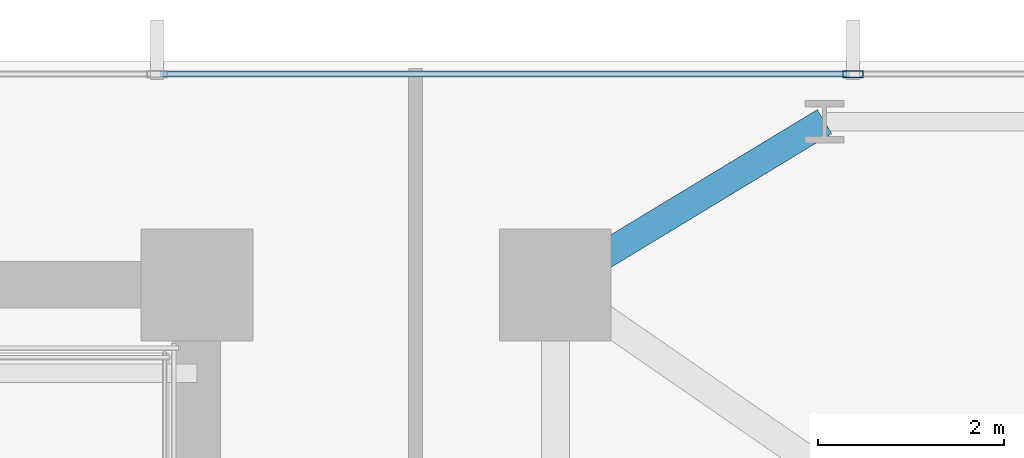
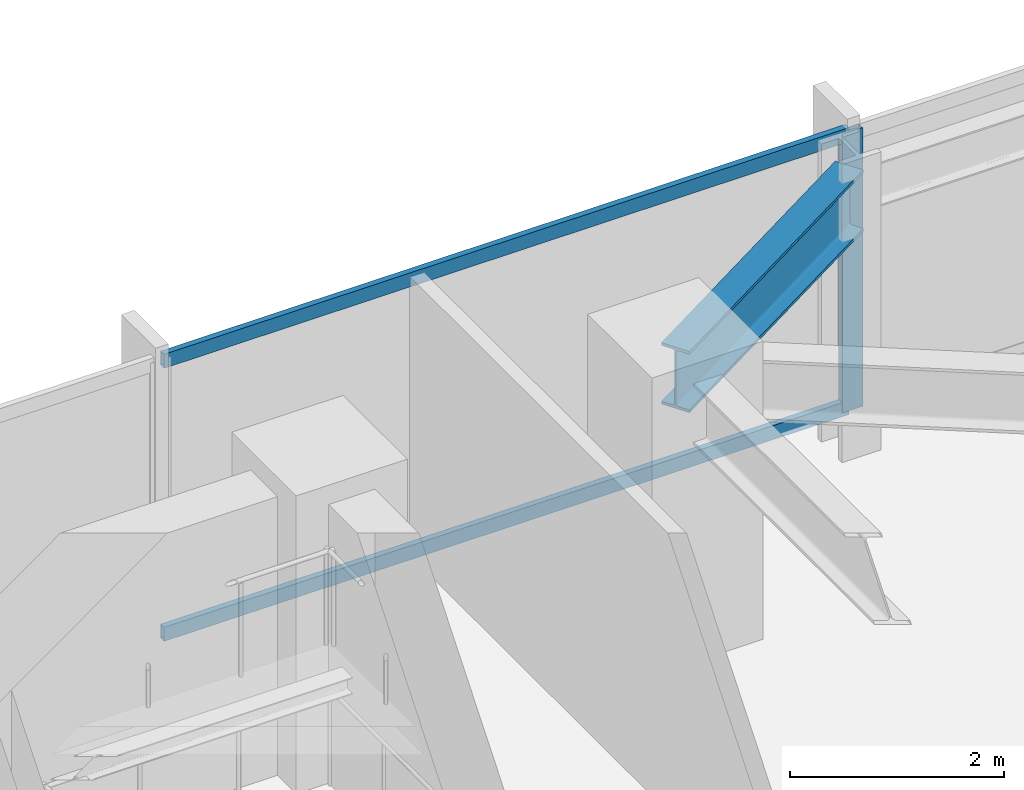
# One storey, part 20 of 32: 3 members, 1 beam, 1 element without a shape of its own.
"""IFC4 building model written with IfcOpenShell, lengths in metres."""

from ifc_helpers import new_model, si_unit, direction, frame, origin, origin_2d, place, context, subcontext, project, spatial, hollow_rectangle, i_section, extrude, material, material_profile, profile_set, type_object, element, aggregate, save


model = new_model("IFC4")

# Units and contexts
model_context = context("Model", 3, precision=1e-05, world=origin(), true_north=direction((0.0, 1.0)))
body_context = subcontext(model_context, "Body", "Model", "MODEL_VIEW")
ifc_project = project(units=[si_unit("LENGTHUNIT", "METRE"), si_unit("AREAUNIT", "SQUARE_METRE"), si_unit("VOLUMEUNIT", "CUBIC_METRE"), si_unit("PLANEANGLEUNIT", "RADIAN"), si_unit("MASSUNIT", "GRAM", prefix="KILO")], contexts=[model_context])

# Site, building, storey
site_placement = place(None, origin())
site = spatial("IfcSite", under=ifc_project, at=site_placement, CompositionType="ELEMENT")
building_placement = place(site_placement, origin())
building = spatial("IfcBuilding", under=site, at=building_placement, Name="Yelkora Congress Tower", CompositionType="ELEMENT")
storey_placement = place(building_placement, frame((0.0, 0.0, 61.0)))
storey = spatial("IfcBuildingStorey", under=building, at=storey_placement, Name="L15", CompositionType="ELEMENT", Elevation=61.0)

# Beam
ifc_material_1 = material(Name="Steel S355J2", Category="steel")
ifc_material_profile_1 = material_profile(ifc_material_1, i_section(OverallWidth=0.300048828125, OverallDepth=0.699951171875, WebThickness=0.01708984375, FlangeThickness=0.031982421875, FilletRadius=0.027099609375, at=origin_2d()), Name="HEB 700")
ifc_profile_set_1 = profile_set([ifc_material_profile_1], Name="Steel S355J2")
beam_type = type_object("IfcBeamType", Name="BM-GIRD-HEB700", PredefinedType="BEAM", material=ifc_profile_set_1)
beam_placement = place(storey_placement, frame((60.487548828125, 47.949951171875, 2.830078125), z_axis=(-0.855193946581, -0.518308126244, 0.0), x_axis=(0.518308126244, -0.855193946581, 0.0)))
element("IfcBeam", 1, at=beam_placement, inside=storey, type_object=beam_type, Name="L15 Primary Frame Girder N08", PredefinedType="BEAM", context=body_context, shape_type="SweptSolid", body=[
    extrude(i_section(OverallWidth=0.300048828125, OverallDepth=0.699951171875, WebThickness=0.01708984375, FlangeThickness=0.031982421875, FilletRadius=0.027099609375, at=origin_2d()), origin(), (0.0, 0.0, 1.0), 3.37646484375),
])

# Curtain wall, members
ifc_material_2 = material(Name="Anodised aluminium and insulated glass", Category="aluminium")
curtain_wall_type = type_object("IfcCurtainWallType", Name="CW-SYS-B1", PredefinedType="NOTDEFINED", material=ifc_material_2)
curtain_wall_placement = place(storey_placement, origin())
curtain_wall = element("IfcCurtainWall", 2, at=curtain_wall_placement, inside=storey, type_object=curtain_wall_type, Name="L15 Unitised Curtain Wall 10", PredefinedType="NOTDEFINED")
ifc_material_3 = material(Name="Anodised aluminium 6063-T6", Category="aluminium")
ifc_material_profile_2 = material_profile(ifc_material_3, hollow_rectangle(XDim=0.074951171875, YDim=0.219970703125, WallThickness=0.0048828125, at=origin_2d()), Name="ALU 75x220x5")
ifc_profile_set_2 = profile_set([ifc_material_profile_2], Name="Anodised aluminium 6063-T6")
member_type_1 = type_object("IfcMemberType", Name="MEM-ML-B1", PredefinedType="MULLION", material=ifc_profile_set_2)
member_1_placement = place(storey_placement, frame((60.794921875, 48.4599609375, 0.0), z_axis=(0.0, 0.0, 1.0), x_axis=(0.0, 1.0, 0.0)))
member_1 = element("IfcMember", 3, at=member_1_placement, type_object=member_type_1, Name="CW-B1 mullion 8", PredefinedType="MULLION", context=body_context, shape_type="SweptSolid", body=[
    extrude(hollow_rectangle(XDim=0.074951171875, YDim=0.219970703125, WallThickness=0.0048828125, at=origin_2d()), origin(), (0.0, 0.0, 1.0), 3.179931640625),
])
ifc_material_profile_3 = material_profile(ifc_material_3, hollow_rectangle(XDim=0.06494140625, YDim=0.159912109375, WallThickness=0.00390625, at=origin_2d()), Name="ALU 65x160x4")
ifc_profile_set_3 = profile_set([ifc_material_profile_3], Name="Anodised aluminium 6063-T6")
member_type_2 = type_object("IfcMemberType", Name="MEM-TR-B1", PredefinedType="USERDEFINED", material=ifc_profile_set_3)
member_2_placement = place(storey_placement, frame((53.367431640625, 48.4599609375, 0.032470703125), z_axis=(1.0, 0.0, 0.0), x_axis=(0.0, 1.0, 0.0)))
member_2 = element("IfcMember", 4, at=member_2_placement, type_object=member_type_2, Name="CW-B1 transom 7.1", ObjectType="TRANSOM", PredefinedType="USERDEFINED", context=body_context, shape_type="SweptSolid", body=[
    extrude(hollow_rectangle(XDim=0.06494140625, YDim=0.159912109375, WallThickness=0.00390625, at=origin_2d()), origin(), (0.0, 0.0, 1.0), 7.39013671875),
])
member_3_placement = place(storey_placement, frame((53.367431640625, 48.4599609375, 3.1474609375), z_axis=(1.0, 0.0, 0.0), x_axis=(0.0, 1.0, 0.0)))
member_3 = element("IfcMember", 5, at=member_3_placement, type_object=member_type_2, Name="CW-B1 transom 7.2", ObjectType="TRANSOM", PredefinedType="USERDEFINED", context=body_context, shape_type="SweptSolid", body=[
    extrude(hollow_rectangle(XDim=0.06494140625, YDim=0.159912109375, WallThickness=0.00390625, at=origin_2d()), origin(), (0.0, 0.0, 1.0), 7.39013671875),
])
aggregate(curtain_wall, [member_1, member_2, member_3])

save(model, "model.ifc")
